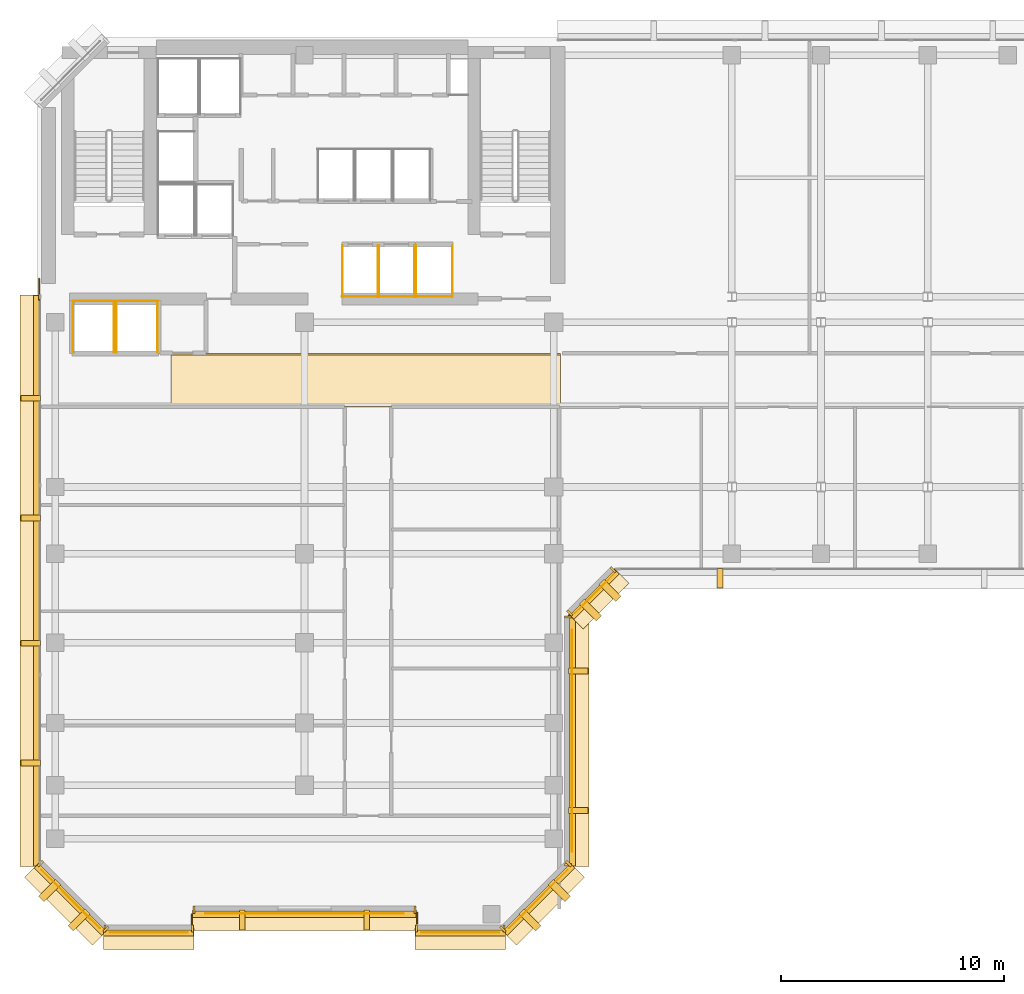
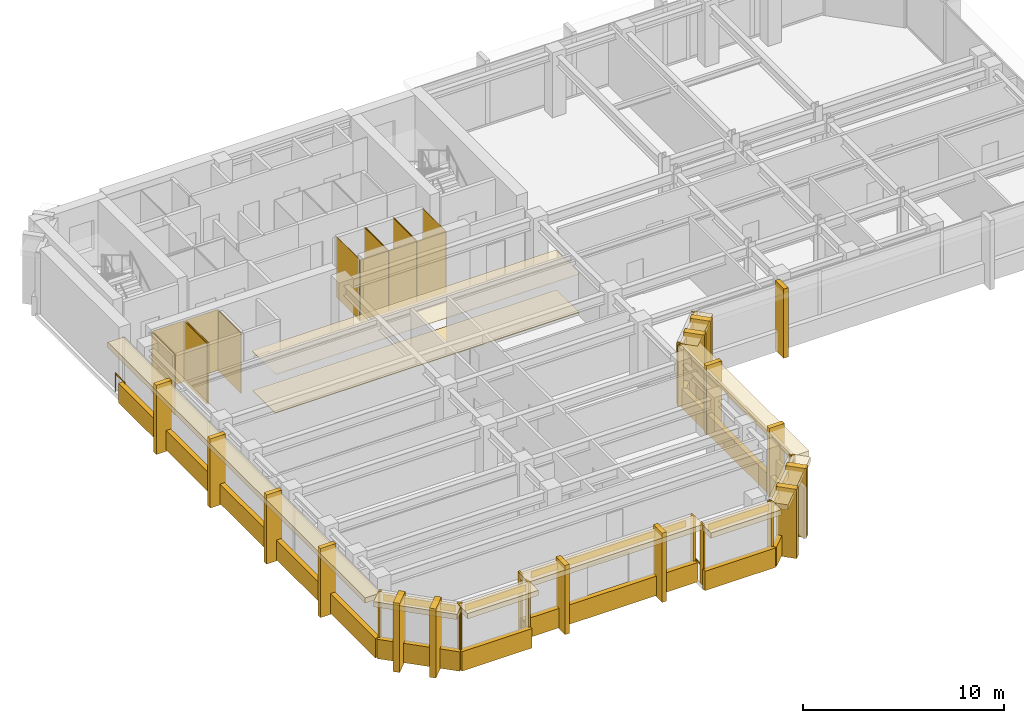
# One storey, part 9 of 12: 69 coverings, 3 railings.
"""IFC4 building model written with IfcOpenShell, lengths in metres."""

from ifc_helpers import new_model, si_unit, direction, frame, origin, origin_2d, place, context, subcontext, project, spatial, polyline, rectangle, circle, outline, extrude, material, layer, layer_set, type_object, element, save


model = new_model("IFC4")

# Units and contexts
model_context = context("Model", 3, precision=1e-05, world=origin(), true_north=direction((0.0, 1.0)))
body_context = subcontext(model_context, "Body", "Model", "MODEL_VIEW")
ifc_project = project(units=[si_unit("LENGTHUNIT", "METRE"), si_unit("AREAUNIT", "SQUARE_METRE"), si_unit("VOLUMEUNIT", "CUBIC_METRE"), si_unit("PLANEANGLEUNIT", "RADIAN"), si_unit("MASSUNIT", "GRAM", prefix="KILO")], contexts=[model_context])

# Site, building, storey
site_placement = place(None, origin())
site = spatial("IfcSite", under=ifc_project, at=site_placement, CompositionType="ELEMENT")
building_placement = place(site_placement, origin())
building = spatial("IfcBuilding", under=site, at=building_placement, Name="Kefirva Bronze Tower", CompositionType="ELEMENT")
storey_placement = place(building_placement, frame((0.0, 0.0, 211.199951171875)))
storey = spatial("IfcBuildingStorey", under=building, at=storey_placement, Name="L51", CompositionType="ELEMENT", Elevation=211.199951171875)

# Coverings
ifc_material_1 = material(Name="Acoustic mineral tile")
ifc_layer_1 = layer(ifc_material_1, 0.02490234375, Name="Acoustic mineral tile")
ifc_layer_set_1 = layer_set([ifc_layer_1], Name="Acoustic mineral tile")
covering_type_1 = type_object("IfcCoveringType", Name="Acoustic Mineral Suspended Ceiling 25mm", PredefinedType="CEILING", material=ifc_layer_set_1)
covering_1_placement = place(storey_placement, frame((0.0, 0.0, 2.400146484375)))
element("IfcCovering", 1, at=covering_1_placement, inside=storey, type_object=covering_type_1, Name="L51 Corridor Acoustic Ceiling", PredefinedType="CEILING", context=body_context, shape_type="SweptSolid", body=[
    extrude(outline(polyline([(6.0, 29.39990234375), (23.5, 29.39990234375), (23.5, 31.800048828125), (6.0, 31.800048828125), (6.0, 29.39990234375)])), origin(), (0.0, 0.0, 1.0), 0.02490234375),
])
ifc_material_2 = material(Name="Bronze anodised aluminium", Category="aluminium")
ifc_layer_2 = layer(ifc_material_2, 0.02001953125, Name="Bronze anodised aluminium")
ifc_layer_set_2 = layer_set([ifc_layer_2], Name="Bronze anodised aluminium")
covering_type_2 = type_object("IfcCoveringType", Name="Anodised Bronze Spandrel Cladding 20mm", PredefinedType="CLADDING", material=ifc_layer_set_2)
covering_2_placement = place(storey_placement, frame((5.0, 5.7900390625, 3.2900390625), z_axis=(0.0, 0.0, 1.0), x_axis=(1.0, 0.0, 0.0)))
element("IfcCovering", 2, at=covering_2_placement, inside=storey, type_object=covering_type_2, Name="L51 Bronze Spandrel Cladding 1", PredefinedType="CLADDING", context=body_context, shape_type="SweptSolid", body=[
    extrude(rectangle(XDim=3.5009765625, YDim=0.02001953125, at=origin_2d()), origin(), (0.0, 0.0, 1.0), 0.39990234375),
])
for number, where, z_axis, x_axis, name in (
    (3, (3.034912109375, 5.9599609375, 0.0), (0.0, 0.0, 1.0), (1.0, 0.0, 0.0), "L51 Facade Joint Closure Panel 1S"),
    (4, (6.965087890625, 5.9599609375, 0.0), (0.0, 0.0, 1.0), (1.0, 0.0, 0.0), "L51 Facade Joint Closure Panel 1E"),
):
    element("IfcCovering", number, at=place(storey_placement, frame(where, z_axis=z_axis, x_axis=x_axis)), inside=storey, type_object=covering_type_2, Name=name, PredefinedType="CLADDING", context=body_context, shape_type="SweptSolid", body=[
        extrude(rectangle(XDim=0.10009765625, YDim=0.320068359375, at=origin_2d()), origin(), (0.0, 0.0, 1.0), 3.7099609375),
    ])
covering_3_placement = place(storey_placement, frame((5.0, 5.760009765625, -0.16015625), z_axis=(0.0, 0.0, 1.0), x_axis=(1.0, 0.0, 0.0)))
element("IfcCovering", 5, at=covering_3_placement, inside=storey, type_object=covering_type_2, Name="L51 Streamline Horizontal Spandrel Band 0", PredefinedType="CLADDING", context=body_context, shape_type="SweptSolid", body=[
    extrude(rectangle(XDim=4.0400390625, YDim=0.280029296875, at=origin_2d()), origin(), (0.0, 0.0, 1.0), 1.179931640625),
])
covering_4_placement = place(storey_placement, frame((12.0, 6.639892578125, 3.2900390625), z_axis=(0.0, 0.0, 1.0), x_axis=(1.0, 0.0, 0.0)))
element("IfcCovering", 6, at=covering_4_placement, inside=storey, type_object=covering_type_2, Name="L51 Bronze Spandrel Cladding 2", PredefinedType="CLADDING", context=body_context, shape_type="SweptSolid", body=[
    extrude(rectangle(XDim=8.90087890625, YDim=0.02001953125, at=origin_2d()), origin(), (0.0, 0.0, 1.0), 0.39990234375),
])
for number, where, z_axis, x_axis, name in (
    (7, (7.034912109375, 6.81005859375, 0.0), (0.0, 0.0, 1.0), (1.0, 0.0, 0.0), "L51 Facade Joint Closure Panel 2S"),
    (8, (16.965087890625, 6.81005859375, 0.0), (0.0, 0.0, 1.0), (1.0, 0.0, 0.0), "L51 Facade Joint Closure Panel 2E"),
):
    element("IfcCovering", number, at=place(storey_placement, frame(where, z_axis=z_axis, x_axis=x_axis)), inside=storey, type_object=covering_type_2, Name=name, PredefinedType="CLADDING", context=body_context, shape_type="SweptSolid", body=[
        extrude(rectangle(XDim=0.10009765625, YDim=0.320068359375, at=origin_2d()), origin(), (0.0, 0.0, 1.0), 3.7099609375),
    ])
covering_5_placement = place(storey_placement, frame((12.0, 6.610107421875, -0.16015625), z_axis=(0.0, 0.0, 1.0), x_axis=(1.0, 0.0, 0.0)))
element("IfcCovering", 9, at=covering_5_placement, inside=storey, type_object=covering_type_2, Name="L51 Streamline Horizontal Spandrel Band 2", PredefinedType="CLADDING", context=body_context, shape_type="SweptSolid", body=[
    extrude(rectangle(XDim=10.0400390625, YDim=0.280029296875, at=origin_2d()), origin(), (0.0, 0.0, 1.0), 1.179931640625),
])
covering_6_placement = place(storey_placement, frame((19.0, 5.7900390625, 3.2900390625), z_axis=(0.0, 0.0, 1.0), x_axis=(1.0, 0.0, 0.0)))
element("IfcCovering", 10, at=covering_6_placement, inside=storey, type_object=covering_type_2, Name="L51 Bronze Spandrel Cladding 3", PredefinedType="CLADDING", context=body_context, shape_type="SweptSolid", body=[
    extrude(rectangle(XDim=3.5009765625, YDim=0.02001953125, at=origin_2d()), origin(), (0.0, 0.0, 1.0), 0.39990234375),
])
for number, where, z_axis, x_axis, name in (
    (11, (17.034912109375, 5.9599609375, 0.0), (0.0, 0.0, 1.0), (1.0, 0.0, 0.0), "L51 Facade Joint Closure Panel 3S"),
    (12, (20.965087890625, 5.9599609375, 0.0), (0.0, 0.0, 1.0), (1.0, 0.0, 0.0), "L51 Facade Joint Closure Panel 3E"),
):
    element("IfcCovering", number, at=place(storey_placement, frame(where, z_axis=z_axis, x_axis=x_axis)), inside=storey, type_object=covering_type_2, Name=name, PredefinedType="CLADDING", context=body_context, shape_type="SweptSolid", body=[
        extrude(rectangle(XDim=0.10009765625, YDim=0.320068359375, at=origin_2d()), origin(), (0.0, 0.0, 1.0), 3.7099609375),
    ])
covering_7_placement = place(storey_placement, frame((19.0, 5.760009765625, -0.16015625), z_axis=(0.0, 0.0, 1.0), x_axis=(1.0, 0.0, 0.0)))
element("IfcCovering", 13, at=covering_7_placement, inside=storey, type_object=covering_type_2, Name="L51 Streamline Horizontal Spandrel Band 4", PredefinedType="CLADDING", context=body_context, shape_type="SweptSolid", body=[
    extrude(rectangle(XDim=4.0400390625, YDim=0.280029296875, at=origin_2d()), origin(), (0.0, 0.0, 1.0), 1.179931640625),
])
covering_8_placement = place(storey_placement, frame((22.507080078125, 7.29296875, 3.2900390625), z_axis=(0.0, 0.0, 1.0), x_axis=(0.707106781187, 0.707106781187, 0.0)))
element("IfcCovering", 14, at=covering_8_placement, inside=storey, type_object=covering_type_2, Name="L51 Bronze Spandrel Cladding 4", PredefinedType="CLADDING", context=body_context, shape_type="SweptSolid", body=[
    extrude(rectangle(XDim=3.719482421875, YDim=0.02001953125, at=origin_2d()), origin(), (0.0, 0.0, 1.0), 0.39990234375),
])
for number, where, z_axis, x_axis, name in (
    (15, (20.91162109375, 5.93798828125, 0.0), (0.0, 0.0, 1.0), (0.707106781187, 0.707106781187, 0.0), "L51 Facade Joint Closure Panel 4S"),
    (16, (23.862060546875, 8.88818359375, 0.0), (0.0, 0.0, 1.0), (0.707106781187, 0.707106781187, 0.0), "L51 Facade Joint Closure Panel 4E"),
):
    element("IfcCovering", number, at=place(storey_placement, frame(where, z_axis=z_axis, x_axis=x_axis)), inside=storey, type_object=covering_type_2, Name=name, PredefinedType="CLADDING", context=body_context, shape_type="SweptSolid", body=[
        extrude(rectangle(XDim=0.10009765625, YDim=0.320068359375, at=origin_2d()), origin(), (0.0, 0.0, 1.0), 3.7099609375),
    ])
covering_9_placement = place(storey_placement, frame((22.5283203125, 7.271728515625, -0.16015625), z_axis=(0.0, 0.0, 1.0), x_axis=(0.707106781187, 0.707106781187, 0.0)))
element("IfcCovering", 17, at=covering_9_placement, inside=storey, type_object=covering_type_2, Name="L51 Streamline Horizontal Spandrel Band 5", PredefinedType="CLADDING", context=body_context, shape_type="SweptSolid", body=[
    extrude(rectangle(XDim=4.28271484375, YDim=0.280029296875, at=origin_2d()), origin(), (0.0, 0.0, 1.0), 1.179931640625),
])
covering_10_placement = place(storey_placement, frame((24.010009765625, 14.39990234375, 3.2900390625), z_axis=(0.0, 0.0, 1.0), x_axis=(0.0, 1.0, 0.0)))
element("IfcCovering", 18, at=covering_10_placement, inside=storey, type_object=covering_type_2, Name="L51 Bronze Spandrel Cladding 5", PredefinedType="CLADDING", context=body_context, shape_type="SweptSolid", body=[
    extrude(rectangle(XDim=9.98095703125, YDim=0.02001953125, at=origin_2d()), origin(), (0.0, 0.0, 1.0), 0.39990234375),
])
for number, where, z_axis, x_axis, name in (
    (19, (23.840087890625, 8.8349609375, 0.0), (0.0, 0.0, 1.0), (0.0, 1.0, 0.0), "L51 Facade Joint Closure Panel 5S"),
    (20, (23.840087890625, 19.965087890625, 0.0), (0.0, 0.0, 1.0), (0.0, 1.0, 0.0), "L51 Facade Joint Closure Panel 5E"),
):
    element("IfcCovering", number, at=place(storey_placement, frame(where, z_axis=z_axis, x_axis=x_axis)), inside=storey, type_object=covering_type_2, Name=name, PredefinedType="CLADDING", context=body_context, shape_type="SweptSolid", body=[
        extrude(rectangle(XDim=0.10009765625, YDim=0.320068359375, at=origin_2d()), origin(), (0.0, 0.0, 1.0), 3.7099609375),
    ])
covering_11_placement = place(storey_placement, frame((24.0400390625, 14.39990234375, -0.16015625), z_axis=(0.0, 0.0, 1.0), x_axis=(0.0, 1.0, 0.0)))
element("IfcCovering", 21, at=covering_11_placement, inside=storey, type_object=covering_type_2, Name="L51 Streamline Horizontal Spandrel Band 6", PredefinedType="CLADDING", context=body_context, shape_type="SweptSolid", body=[
    extrude(rectangle(XDim=11.239990234375, YDim=0.280029296875, at=origin_2d()), origin(), (0.0, 0.0, 1.0), 1.179931640625),
])
covering_12_placement = place(storey_placement, frame((25.007080078125, 20.992919921875, 3.2900390625), z_axis=(0.0, 0.0, 1.0), x_axis=(0.707106781187, 0.707106781187, 0.0)))
element("IfcCovering", 22, at=covering_12_placement, inside=storey, type_object=covering_type_2, Name="L51 Bronze Spandrel Cladding 6", PredefinedType="CLADDING", context=body_context, shape_type="SweptSolid", body=[
    extrude(rectangle(XDim=2.446533203125, YDim=0.02001953125, at=origin_2d()), origin(), (0.0, 0.0, 1.0), 0.39990234375),
])
for number, where, z_axis, x_axis, name in (
    (23, (23.91162109375, 20.137939453125, 0.0), (0.0, 0.0, 1.0), (0.707106781187, 0.707106781187, 0.0), "L51 Facade Joint Closure Panel 6S"),
    (24, (25.862060546875, 22.08837890625, 0.0), (0.0, 0.0, 1.0), (0.707106781187, 0.707106781187, 0.0), "L51 Facade Joint Closure Panel 6E"),
):
    element("IfcCovering", number, at=place(storey_placement, frame(where, z_axis=z_axis, x_axis=x_axis)), inside=storey, type_object=covering_type_2, Name=name, PredefinedType="CLADDING", context=body_context, shape_type="SweptSolid", body=[
        extrude(rectangle(XDim=0.10009765625, YDim=0.320068359375, at=origin_2d()), origin(), (0.0, 0.0, 1.0), 3.7099609375),
    ])
covering_13_placement = place(storey_placement, frame((25.0283203125, 20.9716796875, -0.16015625), z_axis=(0.0, 0.0, 1.0), x_axis=(0.707106781187, 0.707106781187, 0.0)))
element("IfcCovering", 25, at=covering_13_placement, inside=storey, type_object=covering_type_2, Name="L51 Streamline Horizontal Spandrel Band 7", PredefinedType="CLADDING", context=body_context, shape_type="SweptSolid", body=[
    extrude(rectangle(XDim=2.868408203125, YDim=0.280029296875, at=origin_2d()), origin(), (0.0, 0.0, 1.0), 1.179931640625),
])
covering_14_placement = place(storey_placement, frame((-0.0400390625, 21.597412109375, -0.16015625), z_axis=(0.0, 0.0, 1.0), x_axis=(0.0, -1.0, 0.0)))
element("IfcCovering", 26, at=covering_14_placement, inside=storey, type_object=covering_type_2, Name="L51 Streamline Horizontal Spandrel Band 14", PredefinedType="CLADDING", context=body_context, shape_type="SweptSolid", body=[
    extrude(rectangle(XDim=25.635009765625, YDim=0.280029296875, at=origin_2d()), origin(), (0.0, 0.0, 1.0), 1.179931640625),
])
covering_15_placement = place(storey_placement, frame((1.492919921875, 7.29296875, 3.2900390625), z_axis=(0.0, 0.0, 1.0), x_axis=(0.707106781187, -0.707106781187, 0.0)))
element("IfcCovering", 27, at=covering_15_placement, inside=storey, type_object=covering_type_2, Name="L51 Bronze Spandrel Cladding 10", PredefinedType="CLADDING", context=body_context, shape_type="SweptSolid", body=[
    extrude(rectangle(XDim=3.719482421875, YDim=0.02001953125, at=origin_2d()), origin(), (0.0, 0.0, 1.0), 0.39990234375),
])
for number, where, z_axis, x_axis, name in (
    (28, (0.137939453125, 8.88818359375, 0.0), (0.0, 0.0, 1.0), (0.707106781187, -0.707106781187, 0.0), "L51 Facade Joint Closure Panel 10S"),
    (29, (3.08837890625, 5.93798828125, 0.0), (0.0, 0.0, 1.0), (0.707106781187, -0.707106781187, 0.0), "L51 Facade Joint Closure Panel 10E"),
):
    element("IfcCovering", number, at=place(storey_placement, frame(where, z_axis=z_axis, x_axis=x_axis)), inside=storey, type_object=covering_type_2, Name=name, PredefinedType="CLADDING", context=body_context, shape_type="SweptSolid", body=[
        extrude(rectangle(XDim=0.10009765625, YDim=0.320068359375, at=origin_2d()), origin(), (0.0, 0.0, 1.0), 3.7099609375),
    ])
covering_16_placement = place(storey_placement, frame((1.4716796875, 7.271728515625, -0.16015625), z_axis=(0.0, 0.0, 1.0), x_axis=(0.707106781187, -0.707106781187, 0.0)))
element("IfcCovering", 30, at=covering_16_placement, inside=storey, type_object=covering_type_2, Name="L51 Streamline Horizontal Spandrel Band 15", PredefinedType="CLADDING", context=body_context, shape_type="SweptSolid", body=[
    extrude(rectangle(XDim=4.28271484375, YDim=0.280029296875, at=origin_2d()), origin(), (0.0, 0.0, 1.0), 1.179931640625),
])
covering_17_placement = place(storey_placement, origin())
element("IfcCovering", 31, at=covering_17_placement, inside=storey, type_object=covering_type_2, Name="L51 Lift OB1 Hoistway Liner N", PredefinedType="CLADDING", context=body_context, shape_type="SweptSolid", body=[
    extrude(outline(polyline([(1.580078125, 34.139892578125), (3.469970703125, 34.139892578125), (3.469970703125, 34.159912109375), (1.580078125, 34.159912109375), (1.580078125, 34.139892578125)])), origin(), (0.0, 0.0, 1.0), 3.7099609375),
])
covering_18_placement = place(storey_placement, origin())
element("IfcCovering", 32, at=covering_18_placement, inside=storey, type_object=covering_type_2, Name="L51 Lift OB1 Hoistway Liner W", PredefinedType="CLADDING", context=body_context, shape_type="SweptSolid", body=[
    extrude(outline(polyline([(1.590087890625, 31.830078125), (1.610107421875, 31.830078125), (1.610107421875, 34.169921875), (1.590087890625, 34.169921875), (1.590087890625, 31.830078125)])), origin(), (0.0, 0.0, 1.0), 3.7099609375),
])
covering_19_placement = place(storey_placement, origin())
element("IfcCovering", 33, at=covering_19_placement, inside=storey, type_object=covering_type_2, Name="L51 Lift OB1 Hoistway Liner E", PredefinedType="CLADDING", context=body_context, shape_type="SweptSolid", body=[
    extrude(outline(polyline([(3.43994140625, 31.830078125), (3.4599609375, 31.830078125), (3.4599609375, 34.169921875), (3.43994140625, 34.169921875), (3.43994140625, 31.830078125)])), origin(), (0.0, 0.0, 1.0), 3.7099609375),
])
covering_20_placement = place(storey_placement, origin())
element("IfcCovering", 34, at=covering_20_placement, inside=storey, type_object=covering_type_2, Name="L51 Lift OB2 Hoistway Liner N", PredefinedType="CLADDING", context=body_context, shape_type="SweptSolid", body=[
    extrude(outline(polyline([(3.530029296875, 34.139892578125), (5.419921875, 34.139892578125), (5.419921875, 34.159912109375), (3.530029296875, 34.159912109375), (3.530029296875, 34.139892578125)])), origin(), (0.0, 0.0, 1.0), 3.7099609375),
])
covering_21_placement = place(storey_placement, origin())
element("IfcCovering", 35, at=covering_21_placement, inside=storey, type_object=covering_type_2, Name="L51 Lift OB2 Hoistway Liner W", PredefinedType="CLADDING", context=body_context, shape_type="SweptSolid", body=[
    extrude(outline(polyline([(3.5400390625, 31.830078125), (3.56005859375, 31.830078125), (3.56005859375, 34.169921875), (3.5400390625, 34.169921875), (3.5400390625, 31.830078125)])), origin(), (0.0, 0.0, 1.0), 3.7099609375),
])
covering_22_placement = place(storey_placement, origin())
element("IfcCovering", 36, at=covering_22_placement, inside=storey, type_object=covering_type_2, Name="L51 Lift OB2 Hoistway Liner E", PredefinedType="CLADDING", context=body_context, shape_type="SweptSolid", body=[
    extrude(outline(polyline([(5.389892578125, 31.830078125), (5.409912109375, 31.830078125), (5.409912109375, 34.169921875), (5.389892578125, 34.169921875), (5.389892578125, 31.830078125)])), origin(), (0.0, 0.0, 1.0), 3.7099609375),
])
covering_23_placement = place(storey_placement, origin())
element("IfcCovering", 37, at=covering_23_placement, inside=storey, type_object=covering_type_2, Name="L51 Lift MP1 Hoistway Liner S", PredefinedType="CLADDING", context=body_context, shape_type="SweptSolid", body=[
    extrude(outline(polyline([(13.679931640625, 34.340087890625), (15.320068359375, 34.340087890625), (15.320068359375, 34.360107421875), (13.679931640625, 34.360107421875), (13.679931640625, 34.340087890625)])), origin(), (0.0, 0.0, 1.0), 3.7099609375),
])
covering_24_placement = place(storey_placement, origin())
element("IfcCovering", 38, at=covering_24_placement, inside=storey, type_object=covering_type_2, Name="L51 Lift MP1 Hoistway Liner W", PredefinedType="CLADDING", context=body_context, shape_type="SweptSolid", body=[
    extrude(outline(polyline([(13.68994140625, 34.330078125), (13.7099609375, 34.330078125), (13.7099609375, 36.669921875), (13.68994140625, 36.669921875), (13.68994140625, 34.330078125)])), origin(), (0.0, 0.0, 1.0), 3.7099609375),
])
covering_25_placement = place(storey_placement, origin())
element("IfcCovering", 39, at=covering_25_placement, inside=storey, type_object=covering_type_2, Name="L51 Lift MP1 Hoistway Liner E", PredefinedType="CLADDING", context=body_context, shape_type="SweptSolid", body=[
    extrude(outline(polyline([(15.2900390625, 34.330078125), (15.31005859375, 34.330078125), (15.31005859375, 36.669921875), (15.2900390625, 36.669921875), (15.2900390625, 34.330078125)])), origin(), (0.0, 0.0, 1.0), 3.7099609375),
])
covering_26_placement = place(storey_placement, origin())
element("IfcCovering", 40, at=covering_26_placement, inside=storey, type_object=covering_type_2, Name="L51 Lift MP2 Hoistway Liner S", PredefinedType="CLADDING", context=body_context, shape_type="SweptSolid", body=[
    extrude(outline(polyline([(15.330078125, 34.340087890625), (16.969970703125, 34.340087890625), (16.969970703125, 34.360107421875), (15.330078125, 34.360107421875), (15.330078125, 34.340087890625)])), origin(), (0.0, 0.0, 1.0), 3.7099609375),
])
covering_27_placement = place(storey_placement, origin())
element("IfcCovering", 41, at=covering_27_placement, inside=storey, type_object=covering_type_2, Name="L51 Lift MP2 Hoistway Liner W", PredefinedType="CLADDING", context=body_context, shape_type="SweptSolid", body=[
    extrude(outline(polyline([(15.340087890625, 34.330078125), (15.360107421875, 34.330078125), (15.360107421875, 36.669921875), (15.340087890625, 36.669921875), (15.340087890625, 34.330078125)])), origin(), (0.0, 0.0, 1.0), 3.7099609375),
])
covering_28_placement = place(storey_placement, origin())
element("IfcCovering", 42, at=covering_28_placement, inside=storey, type_object=covering_type_2, Name="L51 Lift MP2 Hoistway Liner E", PredefinedType="CLADDING", context=body_context, shape_type="SweptSolid", body=[
    extrude(outline(polyline([(16.93994140625, 34.330078125), (16.9599609375, 34.330078125), (16.9599609375, 36.669921875), (16.93994140625, 36.669921875), (16.93994140625, 34.330078125)])), origin(), (0.0, 0.0, 1.0), 3.7099609375),
])
covering_29_placement = place(storey_placement, origin())
element("IfcCovering", 43, at=covering_29_placement, inside=storey, type_object=covering_type_2, Name="L51 Lift HP1 Hoistway Liner S", PredefinedType="CLADDING", context=body_context, shape_type="SweptSolid", body=[
    extrude(outline(polyline([(16.97998046875, 34.340087890625), (18.669921875, 34.340087890625), (18.669921875, 34.360107421875), (16.97998046875, 34.360107421875), (16.97998046875, 34.340087890625)])), origin(), (0.0, 0.0, 1.0), 3.7099609375),
])
covering_30_placement = place(storey_placement, origin())
element("IfcCovering", 44, at=covering_30_placement, inside=storey, type_object=covering_type_2, Name="L51 Lift HP1 Hoistway Liner W", PredefinedType="CLADDING", context=body_context, shape_type="SweptSolid", body=[
    extrude(outline(polyline([(16.989990234375, 34.330078125), (17.010009765625, 34.330078125), (17.010009765625, 36.669921875), (16.989990234375, 36.669921875), (16.989990234375, 34.330078125)])), origin(), (0.0, 0.0, 1.0), 3.7099609375),
])
covering_31_placement = place(storey_placement, origin())
element("IfcCovering", 45, at=covering_31_placement, inside=storey, type_object=covering_type_2, Name="L51 Lift HP1 Hoistway Liner E", PredefinedType="CLADDING", context=body_context, shape_type="SweptSolid", body=[
    extrude(outline(polyline([(18.639892578125, 34.330078125), (18.659912109375, 34.330078125), (18.659912109375, 36.669921875), (18.639892578125, 36.669921875), (18.639892578125, 34.330078125)])), origin(), (0.0, 0.0, 1.0), 3.7099609375),
])

# Railings
ifc_material_3 = material(Name="Stainless steel 316", Category="steel")
railing_type = type_object("IfcRailingType", Name="Interior Stair Guardrail 1100mm", PredefinedType="GUARDRAIL", material=ifc_material_3)
railing_1_placement = place(storey_placement, frame((0.080078125, 34.199951171875, 0.0)))
element("IfcRailing", 46, at=railing_1_placement, inside=storey, type_object=railing_type, Name="L51 West Core Junction Guardrail", PredefinedType="GUARDRAIL", context=body_context, shape_type="SweptSolid", body=[
    extrude(circle(Radius=0.02392578125, at=origin_2d()), frame((0.0, 0.0, 1.076171875), z_axis=(0.0, 1.0, 0.0), x_axis=(-1.0, 0.0, 0.0)), (0.0, 0.0, 1.0), 0.949951171875),
    extrude(circle(Radius=0.02099609375, at=origin_2d()), origin(), (0.0, 0.0, 1.0), 1.052001953125),
    extrude(circle(Radius=0.02099609375, at=origin_2d()), frame((0.0, 0.949951171875, 0.0)), (0.0, 0.0, 1.0), 1.052001953125),
])
railing_2_placement = place(storey_placement, frame((17.06005859375, 6.199951171875, 0.0)))
element("IfcRailing", 47, at=railing_2_placement, inside=storey, type_object=railing_type, Name="L51 Setback Corner Guardrail SB1", PredefinedType="GUARDRAIL", context=body_context, shape_type="SweptSolid", body=[
    extrude(circle(Radius=0.02392578125, at=origin_2d()), frame((0.0, 0.0, 1.076171875), z_axis=(0.0, 1.0, 0.0), x_axis=(-1.0, 0.0, 0.0)), (0.0, 0.0, 1.0), 0.47998046875),
    extrude(circle(Radius=0.02099609375, at=origin_2d()), origin(), (0.0, 0.0, 1.0), 1.052001953125),
    extrude(circle(Radius=0.02099609375, at=origin_2d()), frame((0.0, 0.47998046875, 0.0)), (0.0, 0.0, 1.0), 1.052001953125),
])
railing_3_placement = place(storey_placement, frame((6.93994140625, 6.14990234375, 0.0)))
element("IfcRailing", 48, at=railing_3_placement, inside=storey, type_object=railing_type, Name="L51 Setback Corner Guardrail SB2", PredefinedType="GUARDRAIL", context=body_context, shape_type="SweptSolid", body=[
    extrude(circle(Radius=0.02392578125, at=origin_2d()), frame((0.0, 0.0, 1.076171875), z_axis=(0.0, 1.0, 0.0), x_axis=(-1.0, 0.0, 0.0)), (0.0, 0.0, 1.0), 0.4501953125),
    extrude(circle(Radius=0.02099609375, at=origin_2d()), origin(), (0.0, 0.0, 1.0), 1.052001953125),
    extrude(circle(Radius=0.02099609375, at=origin_2d()), frame((0.0, 0.4501953125, 0.0)), (0.0, 0.0, 1.0), 1.052001953125),
])

# Coverings
ifc_material_4 = material(Name="Calcium sulphate access tile")
ifc_layer_3 = layer(ifc_material_4, 0.044921875, Name="Calcium sulphate access tile")
ifc_layer_set_3 = layer_set([ifc_layer_3], Name="Calcium sulphate access tile")
covering_type_3 = type_object("IfcCoveringType", Name="Raised Access Office Flooring 45mm", PredefinedType="FLOORING", material=ifc_layer_set_3)
covering_32_placement = place(storey_placement, origin())
element("IfcCovering", 49, at=covering_32_placement, inside=storey, type_object=covering_type_3, Name="L51 Architectural Finish Flooring", PredefinedType="FLOORING", context=body_context, shape_type="SweptSolid", body=[
    extrude(outline(polyline([(6.0, 29.47998046875), (23.5, 29.47998046875), (23.5, 31.719970703125), (6.0, 31.719970703125), (6.0, 29.47998046875)])), origin(), (0.0, 0.0, 1.0), 0.045166015625),
])
ifc_layer_4 = layer(ifc_material_2, 0.179931640625, Name="Bronze anodised aluminium")
ifc_layer_set_4 = layer_set([ifc_layer_4], Name="Bronze anodised aluminium")
covering_type_4 = type_object("IfcCoveringType", Name="Streamline Bronze Sunshade Eyebrow Cladding 180mm", PredefinedType="CLADDING", material=ifc_layer_set_4)
covering_33_placement = place(storey_placement, frame((5.0, 5.489990234375, 3.39013671875), z_axis=(0.0, 0.0, 1.0), x_axis=(1.0, 0.0, 0.0)))
element("IfcCovering", 50, at=covering_33_placement, inside=storey, type_object=covering_type_4, Name="L51 Streamline Bronze Sunshade Eyebrow 0", PredefinedType="CLADDING", context=body_context, shape_type="SweptSolid", body=[
    extrude(rectangle(XDim=4.080078125, YDim=0.93994140625, at=origin_2d()), origin(), (0.0, 0.0, 1.0), 0.320068359375),
])
covering_34_placement = place(storey_placement, frame((12.0, 6.340087890625, 3.39013671875), z_axis=(0.0, 0.0, 1.0), x_axis=(1.0, 0.0, 0.0)))
element("IfcCovering", 51, at=covering_34_placement, inside=storey, type_object=covering_type_4, Name="L51 Streamline Bronze Sunshade Eyebrow 2", PredefinedType="CLADDING", context=body_context, shape_type="SweptSolid", body=[
    extrude(rectangle(XDim=10.080078125, YDim=0.93994140625, at=origin_2d()), origin(), (0.0, 0.0, 1.0), 0.320068359375),
])
covering_35_placement = place(storey_placement, frame((19.0, 5.489990234375, 3.39013671875), z_axis=(0.0, 0.0, 1.0), x_axis=(1.0, 0.0, 0.0)))
element("IfcCovering", 52, at=covering_35_placement, inside=storey, type_object=covering_type_4, Name="L51 Streamline Bronze Sunshade Eyebrow 4", PredefinedType="CLADDING", context=body_context, shape_type="SweptSolid", body=[
    extrude(rectangle(XDim=4.080078125, YDim=0.93994140625, at=origin_2d()), origin(), (0.0, 0.0, 1.0), 0.320068359375),
])
covering_36_placement = place(storey_placement, frame((22.71923828125, 7.080810546875, 3.39013671875), z_axis=(0.0, 0.0, 1.0), x_axis=(0.707106781187, 0.707106781187, 0.0)))
element("IfcCovering", 53, at=covering_36_placement, inside=storey, type_object=covering_type_4, Name="L51 Streamline Bronze Sunshade Eyebrow 5", PredefinedType="CLADDING", context=body_context, shape_type="SweptSolid", body=[
    extrude(rectangle(XDim=4.322509765625, YDim=0.93994140625, at=origin_2d()), origin(), (0.0, 0.0, 1.0), 0.320068359375),
])
covering_37_placement = place(storey_placement, frame((24.31005859375, 14.39990234375, 3.39013671875), z_axis=(0.0, 0.0, 1.0), x_axis=(0.0, 1.0, 0.0)))
element("IfcCovering", 54, at=covering_37_placement, inside=storey, type_object=covering_type_4, Name="L51 Streamline Bronze Sunshade Eyebrow 6", PredefinedType="CLADDING", context=body_context, shape_type="SweptSolid", body=[
    extrude(rectangle(XDim=11.280029296875, YDim=0.93994140625, at=origin_2d()), origin(), (0.0, 0.0, 1.0), 0.320068359375),
])
covering_38_placement = place(storey_placement, frame((25.21923828125, 20.78076171875, 3.39013671875), z_axis=(0.0, 0.0, 1.0), x_axis=(0.707106781187, 0.707106781187, 0.0)))
element("IfcCovering", 55, at=covering_38_placement, inside=storey, type_object=covering_type_4, Name="L51 Streamline Bronze Sunshade Eyebrow 7", PredefinedType="CLADDING", context=body_context, shape_type="SweptSolid", body=[
    extrude(rectangle(XDim=2.908447265625, YDim=0.93994140625, at=origin_2d()), origin(), (0.0, 0.0, 1.0), 0.320068359375),
])
covering_39_placement = place(storey_placement, frame((-0.31005859375, 21.597412109375, 3.39013671875), z_axis=(0.0, 0.0, 1.0), x_axis=(0.0, -1.0, 0.0)))
element("IfcCovering", 56, at=covering_39_placement, inside=storey, type_object=covering_type_4, Name="L51 Streamline Bronze Sunshade Eyebrow 14", PredefinedType="CLADDING", context=body_context, shape_type="SweptSolid", body=[
    extrude(rectangle(XDim=25.675048828125, YDim=0.93994140625, at=origin_2d()), origin(), (0.0, 0.0, 1.0), 0.320068359375),
])
covering_40_placement = place(storey_placement, frame((1.28076171875, 7.080810546875, 3.39013671875), z_axis=(0.0, 0.0, 1.0), x_axis=(0.707106781187, -0.707106781187, 0.0)))
element("IfcCovering", 57, at=covering_40_placement, inside=storey, type_object=covering_type_4, Name="L51 Streamline Bronze Sunshade Eyebrow 15", PredefinedType="CLADDING", context=body_context, shape_type="SweptSolid", body=[
    extrude(rectangle(XDim=4.322509765625, YDim=0.93994140625, at=origin_2d()), origin(), (0.0, 0.0, 1.0), 0.320068359375),
])
ifc_layer_5 = layer(ifc_material_2, 0.260009765625, Name="Bronze anodised aluminium")
ifc_layer_set_5 = layer_set([ifc_layer_5], Name="Bronze anodised aluminium")
covering_type_5 = type_object("IfcCoveringType", Name="Unbroken Bronze Buttress Fin Cladding 260mm", PredefinedType="CLADDING", material=ifc_layer_set_5)
for number, where, z_axis, x_axis, name in (
    (58, (9.199951171875, 6.35009765625, -0.25), (0.0, 0.0, 1.0), (1.0, 0.0, 0.0), "L51 Unbroken Vertical Bronze Rib Fin 1"),
    (59, (14.800048828125, 6.35009765625, -0.25), (0.0, 0.0, 1.0), (1.0, 0.0, 0.0), "L51 Unbroken Vertical Bronze Rib Fin 2"),
):
    element("IfcCovering", number, at=place(storey_placement, frame(where, z_axis=z_axis, x_axis=x_axis)), inside=storey, type_object=covering_type_5, Name=name, PredefinedType="CLADDING", context=body_context, shape_type="SweptSolid", body=[
        extrude(rectangle(XDim=0.260009765625, YDim=0.8798828125, at=origin_2d()), origin(), (0.0, 0.0, 1.0), 4.2099609375),
    ])
for number, where, z_axis, x_axis, name in (
    (60, (22.122802734375, 6.357177734375, -0.25), (0.0, 0.0, 1.0), (0.707106781187, 0.707106781187, 0.0), "L51 Chamfered Corner Buttress Fin Cladding 3"),
    (61, (23.44287109375, 7.67724609375, -0.25), (0.0, 0.0, 1.0), (0.707106781187, 0.707106781187, 0.0), "L51 Chamfered Corner Buttress Fin Cladding 4"),
):
    element("IfcCovering", number, at=place(storey_placement, frame(where, z_axis=z_axis, x_axis=x_axis)), inside=storey, type_object=covering_type_5, Name=name, PredefinedType="CLADDING", context=body_context, shape_type="SweptSolid", body=[
        extrude(rectangle(XDim=0.340087890625, YDim=1.080078125, at=origin_2d()), origin(), (0.0, 0.0, 1.0), 4.2099609375),
    ])
for number, where, z_axis, x_axis, name in (
    (62, (24.300048828125, 11.263916015625, -0.25), (0.0, 0.0, 1.0), (0.0, 1.0, 0.0), "L51 Unbroken Vertical Bronze Rib Fin 5"),
    (63, (24.300048828125, 17.535888671875, -0.25), (0.0, 0.0, 1.0), (0.0, 1.0, 0.0), "L51 Unbroken Vertical Bronze Rib Fin 6"),
):
    element("IfcCovering", number, at=place(storey_placement, frame(where, z_axis=z_axis, x_axis=x_axis)), inside=storey, type_object=covering_type_5, Name=name, PredefinedType="CLADDING", context=body_context, shape_type="SweptSolid", body=[
        extrude(rectangle(XDim=0.260009765625, YDim=0.8798828125, at=origin_2d()), origin(), (0.0, 0.0, 1.0), 4.2099609375),
    ])
for number, where, z_axis, x_axis, name in (
    (64, (24.8427734375, 20.277099609375, -0.25), (0.0, 0.0, 1.0), (0.707106781187, 0.707106781187, 0.0), "L51 Chamfered Corner Buttress Fin Cladding 7"),
    (65, (25.722900390625, 21.1572265625, -0.25), (0.0, 0.0, 1.0), (0.707106781187, 0.707106781187, 0.0), "L51 Chamfered Corner Buttress Fin Cladding 8"),
):
    element("IfcCovering", number, at=place(storey_placement, frame(where, z_axis=z_axis, x_axis=x_axis)), inside=storey, type_object=covering_type_5, Name=name, PredefinedType="CLADDING", context=body_context, shape_type="SweptSolid", body=[
        extrude(rectangle(XDim=0.340087890625, YDim=1.080078125, at=origin_2d()), origin(), (0.0, 0.0, 1.0), 4.2099609375),
    ])
for number, where, z_axis, x_axis, name in (
    (66, (30.6640625, 21.699951171875, -0.25), (0.0, 0.0, 1.0), (1.0, 0.0, 0.0), "L51 Unbroken Vertical Bronze Rib Fin 9"),
    (67, (-0.300048828125, 29.787841796875, -0.25), (0.0, 0.0, 1.0), (0.0, -1.0, 0.0), "L51 Unbroken Vertical Bronze Rib Fin 23"),
    (68, (-0.300048828125, 24.4130859375, -0.25), (0.0, 0.0, 1.0), (0.0, -1.0, 0.0), "L51 Unbroken Vertical Bronze Rib Fin 24"),
    (69, (-0.300048828125, 18.781982421875, -0.25), (0.0, 0.0, 1.0), (0.0, -1.0, 0.0), "L51 Unbroken Vertical Bronze Rib Fin 25"),
    (70, (-0.300048828125, 13.406982421875, -0.25), (0.0, 0.0, 1.0), (0.0, -1.0, 0.0), "L51 Unbroken Vertical Bronze Rib Fin 26"),
):
    element("IfcCovering", number, at=place(storey_placement, frame(where, z_axis=z_axis, x_axis=x_axis)), inside=storey, type_object=covering_type_5, Name=name, PredefinedType="CLADDING", context=body_context, shape_type="SweptSolid", body=[
        extrude(rectangle(XDim=0.260009765625, YDim=0.8798828125, at=origin_2d()), origin(), (0.0, 0.0, 1.0), 4.2099609375),
    ])
for number, where, z_axis, x_axis, name in (
    (71, (0.55712890625, 7.67724609375, -0.25), (0.0, 0.0, 1.0), (0.707106781187, -0.707106781187, 0.0), "L51 Chamfered Corner Buttress Fin Cladding 27"),
    (72, (1.877197265625, 6.357177734375, -0.25), (0.0, 0.0, 1.0), (0.707106781187, -0.707106781187, 0.0), "L51 Chamfered Corner Buttress Fin Cladding 28"),
):
    element("IfcCovering", number, at=place(storey_placement, frame(where, z_axis=z_axis, x_axis=x_axis)), inside=storey, type_object=covering_type_5, Name=name, PredefinedType="CLADDING", context=body_context, shape_type="SweptSolid", body=[
        extrude(rectangle(XDim=0.340087890625, YDim=1.080078125, at=origin_2d()), origin(), (0.0, 0.0, 1.0), 4.2099609375),
    ])

save(model, "model.ifc")
